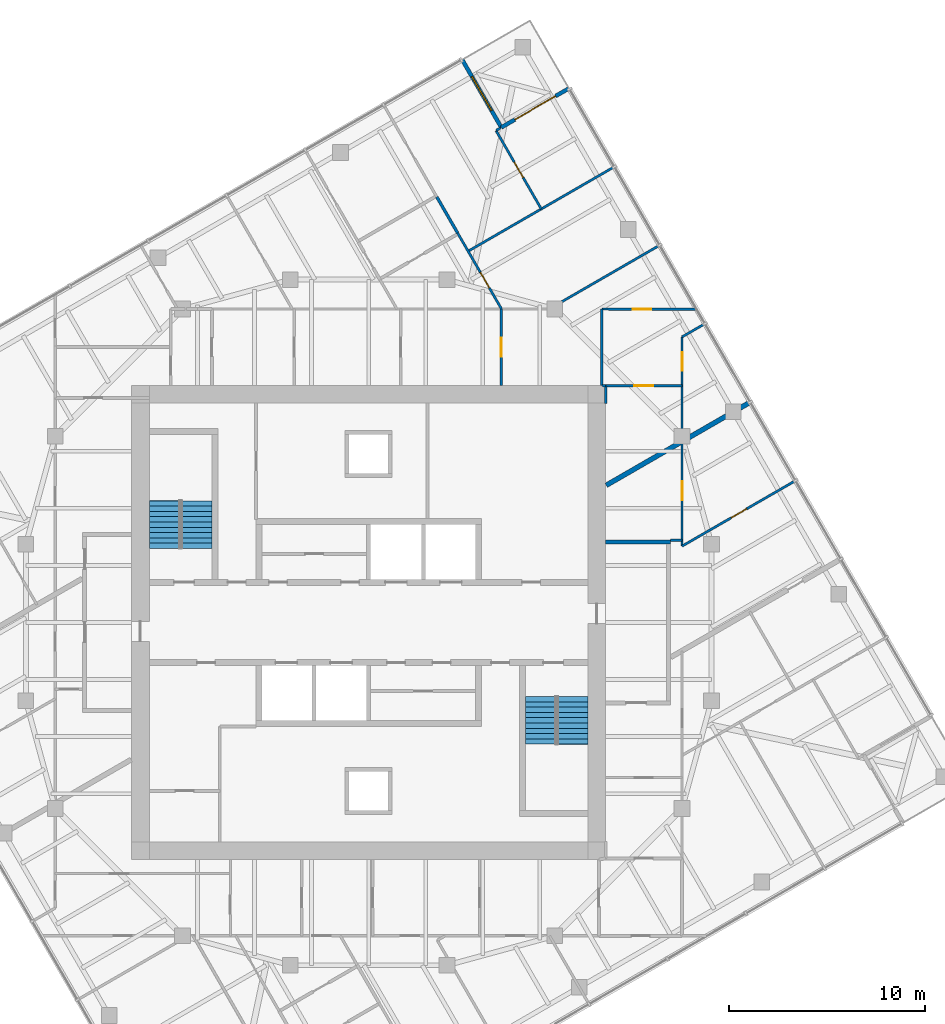
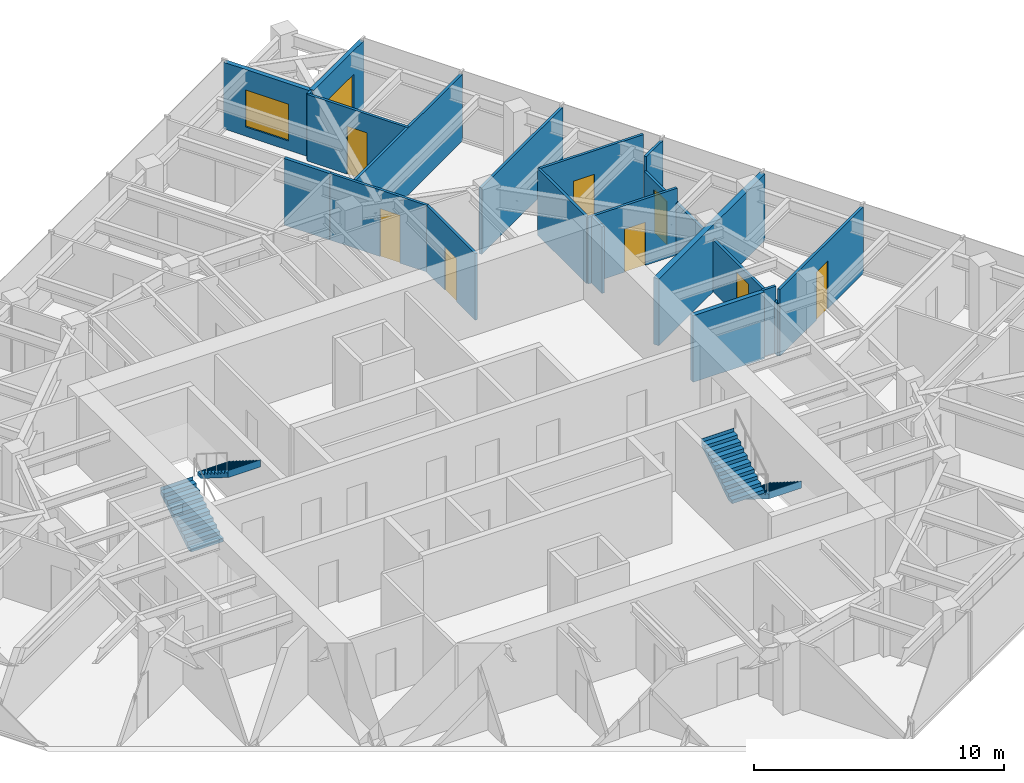
# One storey, part 11 of 12: 20 walls, 9 doors, 4 stair flights, 1 window, 10 openings, 2 elements without a shape of their own.
"""IFC4 building model written with IfcOpenShell, lengths in metres."""

import ifcopenshell
import ifcopenshell.guid

model = None  # the IFC model being written
_history = None  # IfcOwnerHistory: only IFC2X3 demands one
_inside = {}  # id of a spatial element -> (the spatial element, [elements in it])
_under = {}  # id of a project, library or spatial element -> (it, [spatial elements below it])
_declared = {}  # id of a project -> (the project, [libraries it declares])
_typed = {}  # id of a type object -> (the type object, [elements of that type])
_made_of = {}  # id of a material, layer set ... -> (it, [elements and type objects made of it])


def new_model(schema):
    """Start an empty IFC model of exactly this schema.

    Asked for "IFC4X3", IfcOpenShell would pick the latest addendum, in which some entities
    have other attributes; the version numbers below select the first issue.
    IFC2X3 requires an IfcOwnerHistory on every rooted entity: one is made here for all.
    """
    global model, _history
    if schema == "IFC4X3":
        model = ifcopenshell.file(schema_version=(4, 3, 0, 0))
    else:
        model = ifcopenshell.file(schema=schema)
    _inside.clear()
    _under.clear()
    _declared.clear()
    _typed.clear()
    _made_of.clear()
    _history = None
    if model.schema == "IFC2X3":
        org = make("IfcOrganization", Name="unknown")
        user = make(
            "IfcPersonAndOrganization",
            ThePerson=make("IfcPerson", FamilyName="unknown"),
            TheOrganization=org,
        )
        app = make(
            "IfcApplication",
            ApplicationDeveloper=org,
            Version="unknown",
            ApplicationFullName="unknown",
            ApplicationIdentifier="unknown",
        )
        _history = make(
            "IfcOwnerHistory",
            OwningUser=user,
            OwningApplication=app,
            ChangeAction="ADDED",
            CreationDate=0,
        )
    return model


def make(cls, **values):
    """One entity of the class cls with the attributes given. An attribute that is None is left unset."""
    return model.create_entity(
        cls, **{name: value for name, value in values.items() if value is not None}
    )


def rooted(cls, **values):
    """An entity with a GlobalId (a new one), such as an element, a storey or a relation."""
    return make(cls, GlobalId=ifcopenshell.guid.new(), OwnerHistory=_history, **values)


def si_unit(unit_type, name, prefix=None):
    """IfcSIUnit, for example si_unit("LENGTHUNIT", "METRE", prefix="MILLI")."""
    return make("IfcSIUnit", UnitType=unit_type, Prefix=prefix, Name=name)


def assignment(units):
    """IfcUnitAssignment: the units of a project."""
    return None if units is None else make("IfcUnitAssignment", Units=units)


def point(xyz):
    """IfcCartesianPoint."""
    return None if xyz is None else make("IfcCartesianPoint", Coordinates=xyz)


def direction(xyz):
    """IfcDirection."""
    return None if xyz is None else make("IfcDirection", DirectionRatios=xyz)


def frame(location, z_axis=None, x_axis=None):
    """IfcAxis2Placement3D, a coordinate frame: its origin and axes. An axis left out is left unset."""
    return make(
        "IfcAxis2Placement3D",
        Location=point(location),
        Axis=direction(z_axis),
        RefDirection=direction(x_axis),
    )


def frame_2d(location, x_axis=None):
    """IfcAxis2Placement2D, a coordinate frame in the plane: its origin and x axis."""
    return make(
        "IfcAxis2Placement2D", Location=point(location), RefDirection=direction(x_axis)
    )


def origin():
    """The frame at (0, 0, 0) with its axes left unset."""
    return frame((0.0, 0.0, 0.0))


def place(relative_to, where):
    """IfcLocalPlacement: puts the frame where relative to a parent placement (None: the world)."""
    return make(
        "IfcLocalPlacement", PlacementRelTo=relative_to, RelativePlacement=where
    )


def context(
    kind, dimensions, precision=None, world=None, true_north=None, identifier=None
):
    """IfcGeometricRepresentationContext, for example the 3D "Model" context."""
    return make(
        "IfcGeometricRepresentationContext",
        ContextIdentifier=identifier,
        ContextType=kind,
        CoordinateSpaceDimension=dimensions,
        Precision=precision,
        WorldCoordinateSystem=world,
        TrueNorth=true_north,
    )


def subcontext(parent, identifier, kind, view, scale=None):
    """IfcGeometricRepresentationSubContext, for example "Body" below "Model"."""
    return make(
        "IfcGeometricRepresentationSubContext",
        ContextIdentifier=identifier,
        ContextType=kind,
        ParentContext=parent,
        TargetScale=scale,
        TargetView=view,
    )


def project(units=None, contexts=None):
    """IfcProject with its units and contexts."""
    return rooted(
        "IfcProject",
        Name="project",
        RepresentationContexts=contexts,
        UnitsInContext=assignment(units),
    )


def spatial(cls, under=None, at=None, **own):
    """A site, building, storey or space (cls), placed at a placement, below another one or the project."""
    s = rooted(cls, ObjectPlacement=at, **own)
    if under is not None:
        _under.setdefault(under.id(), (under, []))[1].append(s)
    return s


def polyline(points):
    """IfcPolyline through the points."""
    return make("IfcPolyline", Points=[point(p) for p in points])


def profile(cls, at=None, kind="AREA", **sizes):
    """A parametric profile (cls). Its sizes go by their IFC names, for example OverallWidth=200.0."""
    return make(cls, ProfileType=kind, Position=at, **sizes)


def rectangle(**sizes):
    """IfcRectangleProfileDef."""
    return profile("IfcRectangleProfileDef", **sizes)


def outline(outer, holes=None, kind="AREA"):
    """IfcArbitraryClosedProfileDef: a profile drawn as a closed curve; with holes, ...WithVoids."""
    if holes is None:
        return make("IfcArbitraryClosedProfileDef", ProfileType=kind, OuterCurve=outer)
    return make(
        "IfcArbitraryProfileDefWithVoids",
        ProfileType=kind,
        OuterCurve=outer,
        InnerCurves=holes,
    )


def extrude(swept, where, along, depth):
    """IfcExtrudedAreaSolid: the profile swept, set in the frame where, extruded along a direction by depth."""
    return make(
        "IfcExtrudedAreaSolid",
        SweptArea=swept,
        Position=where,
        ExtrudedDirection=direction(along),
        Depth=depth,
    )


def shape(context_of_items, identifier, shape_type, items):
    """IfcShapeRepresentation: the items that make up one representation, for example the "Body"."""
    return make(
        "IfcShapeRepresentation",
        ContextOfItems=context_of_items,
        RepresentationIdentifier=identifier,
        RepresentationType=shape_type,
        Items=items,
    )


def material(Name=None, Category=None):
    """IfcMaterial."""
    return make("IfcMaterial", Name=Name, Category=Category)


def layer(
    of_material, thickness, ventilated=None, Name=None, Category=None, Priority=None
):
    """IfcMaterialLayer: one layer of a wall or slab, of a material (None: an air gap)."""
    return make(
        "IfcMaterialLayer",
        Material=of_material,
        LayerThickness=thickness,
        IsVentilated=ventilated,
        Name=Name,
        Category=Category,
        Priority=Priority,
    )


def layer_set(layers, Name=None):
    """IfcMaterialLayerSet."""
    return make("IfcMaterialLayerSet", MaterialLayers=layers, LayerSetName=Name)


def made_of(thing, what):
    """Note that an element or type object is made of a material, layer set ...; save() writes the relation."""
    if what is not None:
        _made_of.setdefault(what.id(), (what, []))[1].append(thing)
    return thing


def type_object(cls, material=None, **own):
    """A type object (cls), such as IfcWallType, which elements share."""
    return made_of(rooted(cls, **own), material)


def element(
    cls,
    number,
    at=None,
    inside=None,
    cuts=None,
    type_object=None,
    material=None,
    context=None,
    identifier="Body",
    shape_type=None,
    held_by="IfcProductDefinitionShape",
    body=None,
    shapes=None,
    **own,
):
    """One element of the class cls, such as IfcWall. Its Tag is "e" and its number.

    at: its placement. inside: the storey or other place that contains it. cuts: it is an
    opening in that element (IfcRelVoidsElement). A single representation is given by context,
    identifier, shape_type and body (its items); several are given by shapes. held_by: the class
    of the entity that holds the representations. save() writes the other relations.
    """
    e = rooted(cls, Tag="e%d" % number, ObjectPlacement=at, **own)
    if body is not None:
        shapes = [shape(context, identifier, shape_type, body)]
    if shapes is not None:
        e.Representation = make(held_by, Representations=shapes)
    if inside is not None:
        _inside.setdefault(inside.id(), (inside, []))[1].append(e)
    if cuts is not None:
        rooted(
            "IfcRelVoidsElement", RelatingBuildingElement=cuts, RelatedOpeningElement=e
        )
    if type_object is not None:
        _typed.setdefault(type_object.id(), (type_object, []))[1].append(e)
    return made_of(e, material)


def fill(opening, filler):
    """IfcRelFillsElement: the door or window that sits in an opening."""
    return rooted(
        "IfcRelFillsElement",
        RelatingOpeningElement=opening,
        RelatedBuildingElement=filler,
    )


def aggregate(whole, parts):
    """IfcRelAggregates: a whole, such as a stair, and the parts it consists of."""
    return rooted("IfcRelAggregates", RelatingObject=whole, RelatedObjects=parts)


def save(model, path):
    """Write the relations noted so far, then the file.

    IfcRelAggregates (storeys below a building ...), IfcRelContainedInSpatialStructure (elements
    in a storey), IfcRelDefinesByType, IfcRelAssociatesMaterial and IfcRelDeclares: one each for
    every whole, place, type object, material and project.
    """
    for whole, parts in _under.values():
        aggregate(whole, parts)
    for where, things in _inside.values():
        rooted(
            "IfcRelContainedInSpatialStructure",
            RelatedElements=things,
            RelatingStructure=where,
        )
    for kind, things in _typed.values():
        rooted("IfcRelDefinesByType", RelatedObjects=things, RelatingType=kind)
    for what, things in _made_of.values():
        rooted("IfcRelAssociatesMaterial", RelatedObjects=things, RelatingMaterial=what)
    for by, libraries in _declared.values():
        rooted("IfcRelDeclares", RelatingContext=by, RelatedDefinitions=libraries)
    model.write(path)


model = new_model("IFC4")

# Units and contexts
model_context = context("Model", 3, precision=1e-05, world=origin(), true_north=direction((0.0, 1.0)))
body_context = subcontext(model_context, "Body", "Model", "MODEL_VIEW")
ifc_project = project(units=[si_unit("LENGTHUNIT", "METRE"), si_unit("AREAUNIT", "SQUARE_METRE"), si_unit("VOLUMEUNIT", "CUBIC_METRE"), si_unit("PLANEANGLEUNIT", "RADIAN"), si_unit("MASSUNIT", "GRAM", prefix="KILO")], contexts=[model_context])

# Site, building, storey
site_placement = place(None, origin())
site = spatial("IfcSite", under=ifc_project, at=site_placement, CompositionType="ELEMENT")
building_placement = place(site_placement, origin())
building = spatial("IfcBuilding", under=site, at=building_placement, Name="Torsade Residences", CompositionType="ELEMENT")
storey_placement = place(building_placement, frame((0.0, 0.0, 221.800048828125)))
storey = spatial("IfcBuildingStorey", under=building, at=storey_placement, Name="L61", CompositionType="ELEMENT", Elevation=221.800048828125)

# Walls
ifc_material_1 = material(Name="Plasterboard on steel stud", Category="steel")
ifc_layer_1 = layer(ifc_material_1, 0.199951171875)
ifc_layer_set_1 = layer_set([ifc_layer_1], Name="Plasterboard on steel stud")
wall_type_1 = type_object("IfcWallType", Name="CORRIDOR WALL 200", PredefinedType="PARTITIONING", material=ifc_layer_set_1)
wall_1_placement = place(storey_placement, frame((52.10009765625, 34.10009765625, 0.0), z_axis=(0.0, 0.0, 1.0), x_axis=(1.0, 0.0, 0.0)))
element("IfcWall", 1, at=wall_1_placement, inside=storey, type_object=wall_type_1, Name="Corridor wall L61", PredefinedType="PARTITIONING", context=body_context, shape_type="SweptSolid", body=[
    extrude(rectangle(XDim=3.2998046875, YDim=0.199951171875, at=frame_2d((1.64990234375, 0.0))), origin(), (0.0, 0.0, 1.0), 3.25),
])
ifc_material_2 = material(Name="Plasterboard on steel stud", Category="steel")
ifc_layer_2 = layer(ifc_material_2, 0.1201171875)
ifc_layer_set_2 = layer_set([ifc_layer_2], Name="Plasterboard on steel stud")
wall_type_2 = type_object("IfcWallType", Name="PARTITION 120", PredefinedType="PARTITIONING", material=ifc_layer_set_2)
wall_2_placement = place(storey_placement, frame((56.0, 34.199951171875, 0.0), z_axis=(0.0, 0.0, 1.0), x_axis=(-1.0, 0.0, 0.0)))
element("IfcWall", 2, at=wall_2_placement, inside=storey, type_object=wall_type_2, Name="Partition L61", PredefinedType="PARTITIONING", context=body_context, shape_type="SweptSolid", body=[
    extrude(rectangle(XDim=0.60009765625, YDim=0.1201171875, at=frame_2d((0.300048828125, 0.0))), origin(), (0.0, 0.0, 1.0), 3.25),
])

# Wall, openings, doors
wall_3_placement = place(storey_placement, frame((56.0, 44.578125, 0.0), z_axis=(0.0, 0.0, 1.0), x_axis=(0.0, -1.0, 0.0)))
wall_3 = element("IfcWall", 3, at=wall_3_placement, inside=storey, type_object=wall_type_2, Name="Partition L61", PredefinedType="PARTITIONING", context=body_context, shape_type="SweptSolid", body=[
    extrude(rectangle(XDim=10.680908203125, YDim=0.1201171875, at=frame_2d((5.34033203125, 0.0))), origin(), (0.0, 0.0, 1.0), 2.550048828125),
])
opening_1_placement = place(wall_3_placement, frame((0.770263671875, 0.0, 0.0)))
opening_1 = element("IfcOpeningElement", 4, at=opening_1_placement, cuts=wall_3, Name="Opening D05", PredefinedType="OPENING", context=body_context, shape_type="SweptSolid", body=[
    extrude(rectangle(XDim=0.9599609375, YDim=2.10009765625, at=frame_2d((0.47998046875, 1.050048828125))), frame((0.0, 0.070068359375, 0.0), z_axis=(0.0, -1.0, 0.0), x_axis=(1.0, 0.0, 0.0)), (0.0, 0.0, 1.0), 0.14013671875),
])
opening_2_placement = place(wall_3_placement, frame((7.37939453125, 0.0, 0.0)))
opening_2 = element("IfcOpeningElement", 5, at=opening_2_placement, cuts=wall_3, Name="Opening D05", PredefinedType="OPENING", context=body_context, shape_type="SweptSolid", body=[
    extrude(rectangle(XDim=0.9599609375, YDim=2.10009765625, at=frame_2d((0.47998046875, 1.050048828125))), frame((0.0, 0.070068359375, 0.0), z_axis=(0.0, -1.0, 0.0), x_axis=(1.0, 0.0, 0.0)), (0.0, 0.0, 1.0), 0.14013671875),
])
ifc_material_3 = material(Name="Hollow-core timber door in a steel cavity frame", Category="steel")
door_type_1 = type_object("IfcDoorType", Name="BATHROOM CAVITY SLIDING DOOR 960", OperationType="SLIDING_TO_LEFT", PredefinedType="DOOR", material=ifc_material_3)
door_1_placement = place(opening_1_placement, origin())
door_1 = element("IfcDoor", 6, at=door_1_placement, inside=storey, type_object=door_type_1, Name="Door Bathroom to Dining room 2", OperationType="SLIDING_TO_LEFT", OverallHeight=2.10009765625, OverallWidth=0.9599609375, PredefinedType="DOOR", context=body_context, shape_type="SweptSolid", body=[
    extrude(rectangle(XDim=0.9599609375, YDim=2.10009765625, at=frame_2d((0.47998046875, 1.050048828125))), frame((0.0, 0.02490234375, 0.0), z_axis=(0.0, -1.0, 0.0), x_axis=(1.0, 0.0, 0.0)), (0.0, 0.0, 1.0), 0.050048828125),
])
fill(opening_1, door_1)
door_2_placement = place(opening_2_placement, origin())
door_2 = element("IfcDoor", 7, at=door_2_placement, inside=storey, type_object=door_type_1, Name="Door Bedroom 1 2 to Bathroom 2", OperationType="SLIDING_TO_LEFT", OverallHeight=2.10009765625, OverallWidth=0.9599609375, PredefinedType="DOOR", context=body_context, shape_type="SweptSolid", body=[
    extrude(rectangle(XDim=0.9599609375, YDim=2.10009765625, at=frame_2d((0.47998046875, 1.050048828125))), frame((0.0, 0.02490234375, 0.0), z_axis=(0.0, -1.0, 0.0), x_axis=(1.0, 0.0, 0.0)), (0.0, 0.0, 1.0), 0.050048828125),
])
fill(opening_2, door_2)

# Wall, opening, door
wall_4_placement = place(storey_placement, frame((56.0, 33.897216796875, 0.0), z_axis=(0.0, 0.0, 1.0), x_axis=(0.866033470286, 0.49998602815, 0.0)))
wall_4 = element("IfcWall", 8, at=wall_4_placement, inside=storey, type_object=wall_type_2, Name="Partition L61", PredefinedType="PARTITIONING", context=body_context, shape_type="SweptSolid", body=[
    extrude(rectangle(XDim=6.655029296875, YDim=0.1201171875, at=frame_2d((3.32763671875, 0.0))), origin(), (0.0, 0.0, 1.0), 3.25),
])
opening_3_placement = place(wall_4_placement, frame((2.887451171875, 0.0, 0.0)))
opening_3 = element("IfcOpeningElement", 9, at=opening_3_placement, cuts=wall_4, Name="Opening D02", PredefinedType="OPENING", context=body_context, shape_type="SweptSolid", body=[
    extrude(rectangle(XDim=0.919921875, YDim=2.340087890625, at=frame_2d((0.4599609375, 1.169921875))), frame((0.0, 0.070068359375, 0.0), z_axis=(0.0, -1.0, 0.0), x_axis=(1.0, 0.0, 0.0)), (0.0, 0.0, 1.0), 0.14013671875),
])
ifc_material_4 = material(Name="Hollow-core timber door", Category="wood")
door_type_2 = type_object("IfcDoorType", Name="INTERNAL DOOR 920x2340", OperationType="NOTDEFINED", PredefinedType="DOOR", material=ifc_material_4)
door_3_placement = place(opening_3_placement, origin())
door_3 = element("IfcDoor", 10, at=door_3_placement, inside=storey, type_object=door_type_2, Name="Door Living room 2 to Bedroom 1 2", OperationType="SINGLE_SWING_LEFT", OverallHeight=2.340087890625, OverallWidth=0.919921875, PredefinedType="DOOR", context=body_context, shape_type="SweptSolid", body=[
    extrude(rectangle(XDim=0.919921875, YDim=2.340087890625, at=frame_2d((0.4599609375, 1.169921875))), frame((0.0, 0.02490234375, 0.0), z_axis=(0.0, -1.0, 0.0), x_axis=(1.0, 0.0, 0.0)), (0.0, 0.0, 1.0), 0.050048828125),
])
fill(opening_3, door_3)

wall_5_placement = place(storey_placement, frame((56.0, 42.07763671875, 0.0), z_axis=(0.0, 0.0, 1.0), x_axis=(-1.0, 0.0, 0.0)))
wall_5 = element("IfcWall", 11, at=wall_5_placement, inside=storey, type_object=wall_type_2, Name="Partition L61", PredefinedType="PARTITIONING", context=body_context, shape_type="SweptSolid", body=[
    extrude(rectangle(XDim=3.89990234375, YDim=0.1201171875, at=frame_2d((1.949951171875, 0.0))), origin(), (0.0, 0.0, 1.0), 3.25),
])
opening_4_placement = place(wall_5_placement, frame((1.469970703125, 0.0, 0.0)))
opening_4 = element("IfcOpeningElement", 12, at=opening_4_placement, cuts=wall_5, Name="Opening D05", PredefinedType="OPENING", context=body_context, shape_type="SweptSolid", body=[
    extrude(rectangle(XDim=0.9599609375, YDim=2.10009765625, at=frame_2d((0.47998046875, 1.050048828125))), frame((0.0, 0.070068359375, 0.0), z_axis=(0.0, -1.0, 0.0), x_axis=(1.0, 0.0, 0.0)), (0.0, 0.0, 1.0), 0.14013671875),
])
door_4_placement = place(opening_4_placement, origin())
door_4 = element("IfcDoor", 13, at=door_4_placement, inside=storey, type_object=door_type_1, Name="Door Bathroom to Dressing room", OperationType="SLIDING_TO_LEFT", OverallHeight=2.10009765625, OverallWidth=0.9599609375, PredefinedType="DOOR", context=body_context, shape_type="SweptSolid", body=[
    extrude(rectangle(XDim=0.9599609375, YDim=2.10009765625, at=frame_2d((0.47998046875, 1.050048828125))), frame((0.0, 0.02490234375, 0.0), z_axis=(0.0, -1.0, 0.0), x_axis=(1.0, 0.0, 0.0)), (0.0, 0.0, 1.0), 0.050048828125),
])
fill(opening_4, door_4)

# Wall
wall_6_placement = place(storey_placement, frame((51.90576171875, 42.10009765625, 0.0), z_axis=(0.0, 0.0, 1.0), x_axis=(0.0, 1.0, 0.0)))
element("IfcWall", 14, at=wall_6_placement, inside=storey, type_object=wall_type_2, Name="Partition L61", PredefinedType="PARTITIONING", context=body_context, shape_type="SweptSolid", body=[
    extrude(rectangle(XDim=3.89990234375, YDim=0.1201171875, at=frame_2d((1.949951171875, 0.0))), origin(), (0.0, 0.0, 1.0), 3.25),
])

# Wall, opening, door
wall_7_placement = place(storey_placement, frame((51.90576171875, 46.0, 0.0), z_axis=(0.0, 0.0, 1.0), x_axis=(0.999997822794, -0.002086721841, 0.0)))
wall_7 = element("IfcWall", 15, at=wall_7_placement, inside=storey, type_object=wall_type_2, Name="Partition L61", PredefinedType="PARTITIONING", context=body_context, shape_type="SweptSolid", body=[
    extrude(rectangle(XDim=4.796875, YDim=0.1201171875, at=frame_2d((2.3984375, 0.0))), origin(), (0.0, 0.0, 1.0), 3.25),
])
opening_5_placement = place(wall_7_placement, frame((1.567138671875, 0.0, 0.0)))
opening_5 = element("IfcOpeningElement", 16, at=opening_5_placement, cuts=wall_7, Name="Opening D05", PredefinedType="OPENING", context=body_context, shape_type="SweptSolid", body=[
    extrude(rectangle(XDim=0.9599609375, YDim=2.10009765625, at=frame_2d((0.47998046875, 1.050048828125))), frame((0.0, 0.070068359375, 0.0), z_axis=(0.0, -1.0, 0.0), x_axis=(1.0, 0.0, 0.0)), (0.0, 0.0, 1.0), 0.14013671875),
])
door_5_placement = place(opening_5_placement, origin())
door_5 = element("IfcDoor", 17, at=door_5_placement, inside=storey, type_object=door_type_1, Name="Door Media room 2 to Bathroom", OperationType="SLIDING_TO_LEFT", OverallHeight=2.10009765625, OverallWidth=0.9599609375, PredefinedType="DOOR", context=body_context, shape_type="SweptSolid", body=[
    extrude(rectangle(XDim=0.9599609375, YDim=2.10009765625, at=frame_2d((0.47998046875, 1.050048828125))), frame((0.0, 0.02490234375, 0.0), z_axis=(0.0, -1.0, 0.0), x_axis=(1.0, 0.0, 0.0)), (0.0, 0.0, 1.0), 0.050048828125),
])
fill(opening_5, door_5)

# Walls
wall_8_placement = place(storey_placement, frame((57.138427734375, 45.2353515625, 0.0), z_axis=(0.0, 0.0, 1.0), x_axis=(-0.866040225545, -0.499974327079, 0.0)))
element("IfcWall", 18, at=wall_8_placement, inside=storey, type_object=wall_type_2, Name="Partition L61", PredefinedType="PARTITIONING", context=body_context, shape_type="SweptSolid", body=[
    extrude(rectangle(XDim=1.314453125, YDim=0.1201171875, at=frame_2d((0.6572265625, 0.0))), origin(), (0.0, 0.0, 1.0), 3.25),
])
wall_9_placement = place(storey_placement, frame((52.10009765625, 41.179931640625, 0.0), z_axis=(0.0, 0.0, 1.0), x_axis=(0.0, 1.0, 0.0)))
element("IfcWall", 19, at=wall_9_placement, inside=storey, type_object=wall_type_2, Name="Partition L61", PredefinedType="PARTITIONING", context=body_context, shape_type="SweptSolid", body=[
    extrude(rectangle(XDim=0.897705078125, YDim=0.1201171875, at=frame_2d((0.44873046875, 0.0))), origin(), (0.0, 0.0, 1.0), 3.25),
])

# Wall, opening, door
wall_10_placement = place(storey_placement, frame((46.774658203125, 46.0, 0.0), z_axis=(0.0, 0.0, 1.0), x_axis=(0.0, -1.0, 0.0)))
wall_10 = element("IfcWall", 20, at=wall_10_placement, inside=storey, type_object=wall_type_2, Name="Partition L61", PredefinedType="PARTITIONING", context=body_context, shape_type="SweptSolid", body=[
    extrude(rectangle(XDim=3.89990234375, YDim=0.1201171875, at=frame_2d((1.949951171875, 0.0))), origin(), (0.0, 0.0, 1.0), 3.25),
])
opening_6_placement = place(wall_10_placement, frame((1.469970703125, 0.0, 0.0)))
opening_6 = element("IfcOpeningElement", 21, at=opening_6_placement, cuts=wall_10, Name="Opening D05", PredefinedType="OPENING", context=body_context, shape_type="SweptSolid", body=[
    extrude(rectangle(XDim=0.9599609375, YDim=2.10009765625, at=frame_2d((0.47998046875, 1.050048828125))), frame((0.0, 0.070068359375, 0.0), z_axis=(0.0, -1.0, 0.0), x_axis=(1.0, 0.0, 0.0)), (0.0, 0.0, 1.0), 0.14013671875),
])
door_6_placement = place(opening_6_placement, origin())
door_6 = element("IfcDoor", 22, at=door_6_placement, inside=storey, type_object=door_type_1, Name="Door Ensuite to Media room 2", OperationType="SLIDING_TO_LEFT", OverallHeight=2.10009765625, OverallWidth=0.9599609375, PredefinedType="DOOR", context=body_context, shape_type="SweptSolid", body=[
    extrude(rectangle(XDim=0.9599609375, YDim=2.10009765625, at=frame_2d((0.47998046875, 1.050048828125))), frame((0.0, 0.02490234375, 0.0), z_axis=(0.0, -1.0, 0.0), x_axis=(1.0, 0.0, 0.0)), (0.0, 0.0, 1.0), 0.050048828125),
])
fill(opening_6, door_6)

# Wall
wall_11_placement = place(storey_placement, frame((45.07861328125, 48.95361328125, 0.0), z_axis=(0.0, 0.0, 1.0), x_axis=(0.866025991751, 0.49999898161, 0.0)))
element("IfcWall", 23, at=wall_11_placement, inside=storey, type_object=wall_type_2, Name="Partition L61", PredefinedType="PARTITIONING", context=body_context, shape_type="SweptSolid", body=[
    extrude(rectangle(XDim=8.5849609375, YDim=0.1201171875, at=frame_2d((4.29248046875, 0.0))), origin(), (0.0, 0.0, 1.0), 3.25),
])

# Wall, opening, door
wall_12_placement = place(storey_placement, frame((46.783935546875, 46.0, 0.0), z_axis=(0.0, 0.0, 1.0), x_axis=(-0.500017500808, 0.866015299452, 0.0)))
wall_12 = element("IfcWall", 24, at=wall_12_placement, inside=storey, type_object=wall_type_2, Name="Partition L61", PredefinedType="PARTITIONING", context=body_context, shape_type="SweptSolid", body=[
    extrude(rectangle(XDim=4.488525390625, YDim=0.1201171875, at=frame_2d((2.244140625, 0.0))), origin(), (0.0, 0.0, 1.0), 3.25),
])
opening_7_placement = place(wall_12_placement, frame((1.245361328125, 0.0, 0.0)))
opening_7 = element("IfcOpeningElement", 25, at=opening_7_placement, cuts=wall_12, Name="Opening D02", PredefinedType="OPENING", context=body_context, shape_type="SweptSolid", body=[
    extrude(rectangle(XDim=0.919921875, YDim=2.340087890625, at=frame_2d((0.4599609375, 1.169921875))), frame((0.0, 0.070068359375, 0.0), z_axis=(0.0, -1.0, 0.0), x_axis=(1.0, 0.0, 0.0)), (0.0, 0.0, 1.0), 0.14013671875),
])
door_7_placement = place(opening_7_placement, origin())
door_7 = element("IfcDoor", 26, at=door_7_placement, inside=storey, type_object=door_type_2, Name="Door Walk-in robe to Bedroom 1", OperationType="SINGLE_SWING_LEFT", OverallHeight=2.340087890625, OverallWidth=0.919921875, PredefinedType="DOOR", context=body_context, shape_type="SweptSolid", body=[
    extrude(rectangle(XDim=0.919921875, YDim=2.340087890625, at=frame_2d((0.4599609375, 1.169921875))), frame((0.0, 0.02490234375, 0.0), z_axis=(0.0, -1.0, 0.0), x_axis=(1.0, 0.0, 0.0)), (0.0, 0.0, 1.0), 0.050048828125),
])
fill(opening_7, door_7)

# Walls
wall_13_placement = place(storey_placement, frame((54.825927734375, 49.24072265625, 0.0), z_axis=(0.0, 0.0, 1.0), x_axis=(-0.866023120914, -0.500003954026, 0.0)))
element("IfcWall", 27, at=wall_13_placement, inside=storey, type_object=wall_type_2, Name="Partition L61", PredefinedType="PARTITIONING", context=body_context, shape_type="SweptSolid", body=[
    extrude(rectangle(XDim=6.4814453125, YDim=0.1201171875, at=frame_2d((3.24072265625, 0.0))), origin(), (0.0, 0.0, 1.0), 3.25),
])
wall_14_placement = place(storey_placement, frame((46.73681640625, 55.25146484375, 0.0), z_axis=(0.0, 0.0, 1.0), x_axis=(-0.865829262097, -0.500339573586, 0.0)))
element("IfcWall", 28, at=wall_14_placement, inside=storey, type_object=wall_type_2, Name="Partition L61", PredefinedType="PARTITIONING", context=body_context, shape_type="SweptSolid", body=[
    extrude(rectangle(XDim=0.262451171875, YDim=0.1201171875, at=frame_2d((0.13134765625, 0.0))), origin(), (0.0, 0.0, 1.0), 3.25),
])

# Wall, opening, door
wall_15_placement = place(storey_placement, frame((46.505859375, 55.106689453125, 0.0), z_axis=(0.0, 0.0, 1.0), x_axis=(0.49996820914, -0.866043757468, 0.0)))
wall_15 = element("IfcWall", 29, at=wall_15_placement, inside=storey, type_object=wall_type_2, Name="Partition L61", PredefinedType="PARTITIONING", context=body_context, shape_type="SweptSolid", body=[
    extrude(rectangle(XDim=4.614990234375, YDim=0.1201171875, at=frame_2d((2.3076171875, 0.0))), origin(), (0.0, 0.0, 1.0), 3.25),
])
opening_8_placement = place(wall_15_placement, frame((1.847412109375, 0.0, 0.0)))
opening_8 = element("IfcOpeningElement", 30, at=opening_8_placement, cuts=wall_15, Name="Opening D02", PredefinedType="OPENING", context=body_context, shape_type="SweptSolid", body=[
    extrude(rectangle(XDim=0.919921875, YDim=2.340087890625, at=frame_2d((0.4599609375, 1.169921875))), frame((0.0, 0.070068359375, 0.0), z_axis=(0.0, -1.0, 0.0), x_axis=(1.0, 0.0, 0.0)), (0.0, 0.0, 1.0), 0.14013671875),
])
door_8_placement = place(opening_8_placement, origin())
door_8 = element("IfcDoor", 31, at=door_8_placement, inside=storey, type_object=door_type_2, Name="Door Bedroom 2 to Study 2", OperationType="SINGLE_SWING_LEFT", OverallHeight=2.340087890625, OverallWidth=0.919921875, PredefinedType="DOOR", context=body_context, shape_type="SweptSolid", body=[
    extrude(rectangle(XDim=0.919921875, YDim=2.340087890625, at=frame_2d((0.4599609375, 1.169921875))), frame((0.0, 0.02490234375, 0.0), z_axis=(0.0, -1.0, 0.0), x_axis=(1.0, 0.0, 0.0)), (0.0, 0.0, 1.0), 0.050048828125),
])
fill(opening_8, door_8)

# Walls
wall_16_placement = place(storey_placement, frame((51.90576171875, 42.10009765625, 0.0), z_axis=(0.0, 0.0, 1.0), x_axis=(0.993387055489, -0.114813579278, 0.0)))
element("IfcWall", 32, at=wall_16_placement, inside=storey, type_object=wall_type_2, Name="Partition L61", PredefinedType="PARTITIONING", context=body_context, shape_type="SweptSolid", body=[
    extrude(rectangle(XDim=0.195556640625, YDim=0.1201171875, at=frame_2d((0.09765625, 0.0))), origin(), (0.0, 0.0, 1.0), 3.25),
])
ifc_material_5 = material(Name="Masonry-lined stud party wall", Category="masonry")
ifc_layer_3 = layer(ifc_material_5, 0.25)
ifc_layer_set_3 = layer_set([ifc_layer_3], Name="Masonry-lined stud party wall")
wall_type_3 = type_object("IfcWallType", Name="PARTY WALL 250", PredefinedType="PARTITIONING", material=ifc_layer_set_3)
wall_17_placement = place(storey_placement, frame((59.485595703125, 41.25, 0.0), z_axis=(0.0, 0.0, 1.0), x_axis=(-0.866020489494, -0.500008511703, 0.0)))
element("IfcWall", 33, at=wall_17_placement, inside=storey, type_object=wall_type_3, Name="Party wall L61", PredefinedType="PARTITIONING", context=body_context, shape_type="SweptSolid", body=[
    extrude(rectangle(XDim=8.495849609375, YDim=0.25, at=frame_2d((4.248046875, 0.0))), origin(), (0.0, 0.0, 1.0), 3.25),
])
ifc_material_6 = material(Name="Reinforced blockwork", Category="masonry")
ifc_layer_4 = layer(ifc_material_6, 0.14990234375)
ifc_layer_set_4 = layer_set([ifc_layer_4], Name="Reinforced blockwork")
wall_type_4 = type_object("IfcWallType", Name="SERVICE ROOM WALL 150", PredefinedType="SOLIDWALL", material=ifc_layer_set_4)
wall_18_placement = place(storey_placement, frame((44.53955078125, 49.88720703125, 0.0), z_axis=(0.0, 0.0, 1.0), x_axis=(-0.500005013853, 0.866022509016, 0.0)))
element("IfcWall", 34, at=wall_18_placement, inside=storey, type_object=wall_type_4, Name="Service room wall L61", PredefinedType="SOLIDWALL", context=body_context, shape_type="SweptSolid", body=[
    extrude(rectangle(XDim=2.119140625, YDim=0.14990234375, at=frame_2d((1.0595703125, 0.0))), origin(), (0.0, 0.0, 1.0), 3.25),
])

# Wall, opening, door
ifc_material_7 = material(Name="Stone-faced precast concrete 40 MPa panel", Category="masonry")
ifc_layer_5 = layer(ifc_material_7, 0.199951171875)
ifc_layer_set_5 = layer_set([ifc_layer_5], Name="Stone-faced precast concrete 40 MPa panel")
wall_type_5 = type_object("IfcWallType", Name="TERRACE WALL 200", PredefinedType="SOLIDWALL", material=ifc_layer_set_5)
wall_19_placement = place(storey_placement, frame((50.235595703125, 57.271484375, 0.0), z_axis=(0.0, 0.0, 1.0), x_axis=(-0.866026010844, -0.49999894854, 0.0)))
wall_19 = element("IfcWall", 35, at=wall_19_placement, inside=storey, type_object=wall_type_5, Name="Terrace wall L61 5", PredefinedType="SOLIDWALL", context=body_context, shape_type="SweptSolid", body=[
    extrude(rectangle(XDim=4.0, YDim=0.199951171875, at=frame_2d((2.0, 0.0))), origin(), (0.0, 0.0, 1.0), 3.25),
])
opening_9_placement = place(wall_19_placement, frame((0.800048828125, 0.0, 0.0)))
opening_9 = element("IfcOpeningElement", 36, at=opening_9_placement, cuts=wall_19, Name="Opening D10A", PredefinedType="OPENING", context=body_context, shape_type="SweptSolid", body=[
    extrude(rectangle(XDim=2.39990234375, YDim=2.10009765625, at=frame_2d((1.199951171875, 1.050048828125))), frame((0.0, 0.10986328125, 0.0), z_axis=(0.0, -1.0, 0.0), x_axis=(1.0, 0.0, 0.0)), (0.0, 0.0, 1.0), 0.219970703125),
])
ifc_material_8 = material(Name="Aluminium-framed glass door", Category="aluminium")
door_type_3 = type_object("IfcDoorType", Name="TERRACE SLIDING DOOR 2400x2100", OperationType="SLIDING_TO_LEFT", PredefinedType="DOOR", material=ifc_material_8)
door_9_placement = place(opening_9_placement, origin())
door_9 = element("IfcDoor", 37, at=door_9_placement, inside=storey, type_object=door_type_3, Name="Terrace door L61 5", OperationType="SLIDING_TO_LEFT", OverallHeight=2.10009765625, OverallWidth=2.39990234375, PredefinedType="DOOR", context=body_context, shape_type="SweptSolid", body=[
    extrude(rectangle(XDim=2.39990234375, YDim=2.10009765625, at=frame_2d((1.199951171875, 1.050048828125))), frame((0.0, 0.02490234375, 0.0), z_axis=(0.0, -1.0, 0.0), x_axis=(1.0, 0.0, 0.0)), (0.0, 0.0, 1.0), 0.050048828125),
])
fill(opening_9, door_9)

# Wall, opening, window
wall_20_placement = place(storey_placement, frame((46.771484375, 55.271484375, 0.0), z_axis=(0.0, 0.0, 1.0), x_axis=(-0.49999894854, 0.866026010844, 0.0)))
wall_20 = element("IfcWall", 38, at=wall_20_placement, inside=storey, type_object=wall_type_5, Name="Terrace wall L61 6", PredefinedType="SOLIDWALL", context=body_context, shape_type="SweptSolid", body=[
    extrude(rectangle(XDim=4.0, YDim=0.199951171875, at=frame_2d((2.0, 0.0))), origin(), (0.0, 0.0, 1.0), 3.25),
])
opening_10_placement = place(wall_20_placement, frame((1.0, 0.0, 0.449951171875)))
opening_10 = element("IfcOpeningElement", 39, at=opening_10_placement, cuts=wall_20, Name="Opening W1B", PredefinedType="OPENING", context=body_context, shape_type="SweptSolid", body=[
    extrude(rectangle(XDim=2.0, YDim=1.800048828125, at=frame_2d((1.0, 0.89990234375))), frame((0.0, 0.10986328125, 0.0), z_axis=(0.0, -1.0, 0.0), x_axis=(1.0, 0.0, 0.0)), (0.0, 0.0, 1.0), 0.219970703125),
])
ifc_material_9 = material(Name="Aluminium-framed glass window", Category="aluminium")
window_type = type_object("IfcWindowType", Name="TERRACE WINDOW 2000x1800", PartitioningType="SINGLE_PANEL", PredefinedType="WINDOW", material=ifc_material_9)
window_placement = place(opening_10_placement, origin())
window = element("IfcWindow", 40, at=window_placement, inside=storey, type_object=window_type, Name="Terrace window L61 6", OverallHeight=1.800048828125, OverallWidth=2.0, PartitioningType="SINGLE_PANEL", PredefinedType="WINDOW", context=body_context, shape_type="SweptSolid", body=[
    extrude(rectangle(XDim=2.0, YDim=1.800048828125, at=frame_2d((1.0, 0.89990234375))), frame((0.0, 0.030029296875, 0.0), z_axis=(0.0, -1.0, 0.0), x_axis=(1.0, 0.0, 0.0)), (0.0, 0.0, 1.0), 0.06005859375),
])
fill(opening_10, window)

# Stair, stair flights
ifc_material_10 = material(Name="Precast concrete 40 MPa", Category="concrete")
stair_type = type_object("IfcStairType", Name="HALF-TURN FIRE STAIR 1500x3400", PredefinedType="HALF_TURN_STAIR", material=ifc_material_10)
stair_1_placement = place(storey_placement, origin())
stair_1 = element("IfcStair", 41, at=stair_1_placement, inside=storey, type_object=stair_type, Name="Stair ST1 L61", PredefinedType="HALF_TURN_STAIR")
ifc_material_11 = material(Name="Precast concrete 40 MPa", Category="concrete")
stair_flight_type = type_object("IfcStairFlightType", Name="PRECAST STAIR FLIGHT 1500x1700", PredefinedType="STRAIGHT", material=ifc_material_11)
stair_flight_1_placement = place(storey_placement, frame((29.550048828125, 33.780029296875, 0.0), z_axis=(0.0, 0.0, 1.0), x_axis=(0.0, 1.0, 0.0)))
stair_flight_1 = element("IfcStairFlight", 42, at=stair_flight_1_placement, type_object=stair_flight_type, Name="ST1 flight 1", NumberOfRisers=10, NumberOfTreads=9, PredefinedType="STRAIGHT", RiserHeight=0.17, TreadLength=0.27, context=body_context, shape_type="SweptSolid", body=[
    extrude(outline(polyline([(0.0, 0.0), (0.0, 0.169921875), (0.27001953125, 0.169921875), (0.27001953125, 0.340087890625), (0.5400390625, 0.340087890625), (0.5400390625, 0.510009765625), (0.81005859375, 0.510009765625), (0.81005859375, 0.679931640625), (1.080078125, 0.679931640625), (1.080078125, 0.85009765625), (1.35009765625, 0.85009765625), (1.35009765625, 1.02001953125), (1.6201171875, 1.02001953125), (1.6201171875, 1.18994140625), (1.889892578125, 1.18994140625), (1.889892578125, 1.360107421875), (2.159912109375, 1.360107421875), (2.159912109375, 1.530029296875), (2.429931640625, 1.530029296875), (2.429931640625, 1.699951171875), (2.43994140625, 1.699951171875), (2.43994140625, 1.352783203125), (2.429931640625, 1.352783203125), (0.28125, 0.0), (0.0, 0.0)])), frame((0.0, 0.75, 0.0), z_axis=(0.0, -1.0, 0.0), x_axis=(1.0, 0.0, 0.0)), (0.0, 0.0, 1.0), 1.5),
])
stair_flight_2_placement = place(storey_placement, frame((31.25, 36.2099609375, 1.699951171875), z_axis=(0.0, 0.0, 1.0), x_axis=(0.0, -1.0, 0.0)))
stair_flight_2 = element("IfcStairFlight", 43, at=stair_flight_2_placement, type_object=stair_flight_type, Name="ST1 flight 2", NumberOfRisers=10, NumberOfTreads=9, PredefinedType="STRAIGHT", RiserHeight=0.17, TreadLength=0.27, context=body_context, shape_type="SweptSolid", body=[
    extrude(outline(polyline([(0.0, 0.0), (0.0, 0.169921875), (0.27001953125, 0.169921875), (0.27001953125, 0.340087890625), (0.5400390625, 0.340087890625), (0.5400390625, 0.510009765625), (0.81005859375, 0.510009765625), (0.81005859375, 0.679931640625), (1.080078125, 0.679931640625), (1.080078125, 0.85009765625), (1.35009765625, 0.85009765625), (1.35009765625, 1.02001953125), (1.6201171875, 1.02001953125), (1.6201171875, 1.18994140625), (1.889892578125, 1.18994140625), (1.889892578125, 1.360107421875), (2.159912109375, 1.360107421875), (2.159912109375, 1.530029296875), (2.429931640625, 1.530029296875), (2.429931640625, 1.699951171875), (2.43994140625, 1.699951171875), (2.43994140625, 1.352783203125), (2.429931640625, 1.352783203125), (0.28125, 0.0), (0.0, 0.0)])), frame((0.0, 0.75, 0.0), z_axis=(0.0, -1.0, 0.0), x_axis=(1.0, 0.0, 0.0)), (0.0, 0.0, 1.0), 1.5),
])
aggregate(stair_1, [stair_flight_1, stair_flight_2])

stair_2_placement = place(storey_placement, origin())
stair_2 = element("IfcStair", 44, at=stair_2_placement, inside=storey, type_object=stair_type, Name="Stair ST2 L61", PredefinedType="HALF_TURN_STAIR")
stair_flight_3_placement = place(storey_placement, frame((50.449951171875, 26.219970703125, 0.0), z_axis=(0.0, 0.0, 1.0), x_axis=(0.0, -1.0, 0.0)))
stair_flight_3 = element("IfcStairFlight", 45, at=stair_flight_3_placement, type_object=stair_flight_type, Name="ST2 flight 1", NumberOfRisers=10, NumberOfTreads=9, PredefinedType="STRAIGHT", RiserHeight=0.17, TreadLength=0.27, context=body_context, shape_type="SweptSolid", body=[
    extrude(outline(polyline([(0.0, 0.0), (0.0, 0.169921875), (0.27001953125, 0.169921875), (0.27001953125, 0.340087890625), (0.5400390625, 0.340087890625), (0.5400390625, 0.510009765625), (0.81005859375, 0.510009765625), (0.81005859375, 0.679931640625), (1.080078125, 0.679931640625), (1.080078125, 0.85009765625), (1.35009765625, 0.85009765625), (1.35009765625, 1.02001953125), (1.6201171875, 1.02001953125), (1.6201171875, 1.18994140625), (1.889892578125, 1.18994140625), (1.889892578125, 1.360107421875), (2.159912109375, 1.360107421875), (2.159912109375, 1.530029296875), (2.429931640625, 1.530029296875), (2.429931640625, 1.699951171875), (2.43994140625, 1.699951171875), (2.43994140625, 1.352783203125), (2.429931640625, 1.352783203125), (0.28125, 0.0), (0.0, 0.0)])), frame((0.0, 0.75, 0.0), z_axis=(0.0, -1.0, 0.0), x_axis=(1.0, 0.0, 0.0)), (0.0, 0.0, 1.0), 1.5),
])
stair_flight_4_placement = place(storey_placement, frame((48.75, 23.7900390625, 1.699951171875), z_axis=(0.0, 0.0, 1.0), x_axis=(0.0, 1.0, 0.0)))
stair_flight_4 = element("IfcStairFlight", 46, at=stair_flight_4_placement, type_object=stair_flight_type, Name="ST2 flight 2", NumberOfRisers=10, NumberOfTreads=9, PredefinedType="STRAIGHT", RiserHeight=0.17, TreadLength=0.27, context=body_context, shape_type="SweptSolid", body=[
    extrude(outline(polyline([(0.0, 0.0), (0.0, 0.169921875), (0.27001953125, 0.169921875), (0.27001953125, 0.340087890625), (0.5400390625, 0.340087890625), (0.5400390625, 0.510009765625), (0.81005859375, 0.510009765625), (0.81005859375, 0.679931640625), (1.080078125, 0.679931640625), (1.080078125, 0.85009765625), (1.35009765625, 0.85009765625), (1.35009765625, 1.02001953125), (1.6201171875, 1.02001953125), (1.6201171875, 1.18994140625), (1.889892578125, 1.18994140625), (1.889892578125, 1.360107421875), (2.159912109375, 1.360107421875), (2.159912109375, 1.530029296875), (2.429931640625, 1.530029296875), (2.429931640625, 1.699951171875), (2.43994140625, 1.699951171875), (2.43994140625, 1.352783203125), (2.429931640625, 1.352783203125), (0.28125, 0.0), (0.0, 0.0)])), frame((0.0, 0.75, 0.0), z_axis=(0.0, -1.0, 0.0), x_axis=(1.0, 0.0, 0.0)), (0.0, 0.0, 1.0), 1.5),
])
aggregate(stair_2, [stair_flight_3, stair_flight_4])

save(model, "model.ifc")
